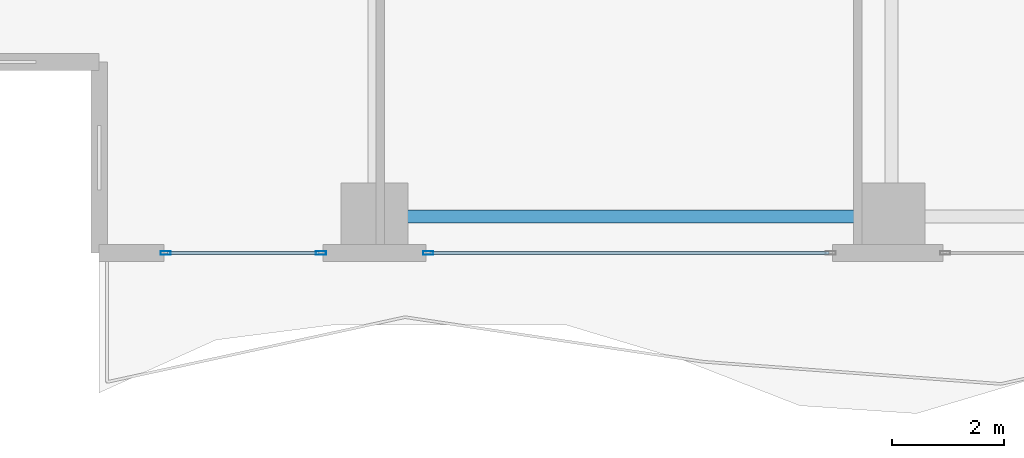
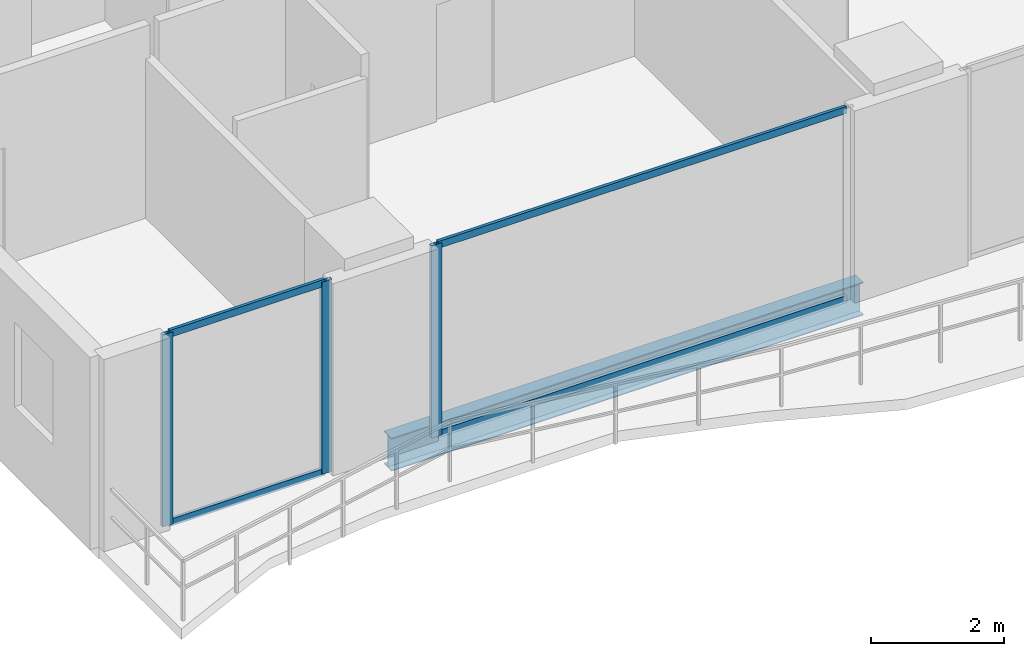
# One storey, part 2 of 32: 7 members, 1 beam, 2 elements without a shape of their own.
"""IFC4 building model written with IfcOpenShell, lengths in metres."""

from ifc_helpers import new_model, si_unit, direction, frame, origin, origin_2d, place, context, subcontext, project, spatial, hollow_rectangle, i_section, extrude, material, layer, layer_set, material_profile, profile_set, type_object, element, aggregate, save


model = new_model("IFC4")

# Units and contexts
model_context = context("Model", 3, precision=1e-05, world=origin(), true_north=direction((0.0, 1.0)))
body_context = subcontext(model_context, "Body", "Model", "MODEL_VIEW")
ifc_project = project(units=[si_unit("LENGTHUNIT", "METRE"), si_unit("AREAUNIT", "SQUARE_METRE"), si_unit("VOLUMEUNIT", "CUBIC_METRE"), si_unit("PLANEANGLEUNIT", "RADIAN"), si_unit("MASSUNIT", "GRAM", prefix="KILO")], contexts=[model_context])

# Site, building, storey
site_placement = place(None, origin())
site = spatial("IfcSite", under=ifc_project, at=site_placement, CompositionType="ELEMENT")
building_placement = place(site_placement, origin())
building = spatial("IfcBuilding", under=site, at=building_placement, Name="Zuhayl Quay Hotel", CompositionType="ELEMENT")
storey_placement = place(building_placement, frame((0.0, 0.0, 177.39990234375)))
storey = spatial("IfcBuildingStorey", under=building, at=storey_placement, Name="L44", CompositionType="ELEMENT", Elevation=177.39990234375)

# Beam
ifc_material_1 = material(Name="Steel ASTM A992 Grade 50", Category="steel")
ifc_material_profile_1 = material_profile(ifc_material_1, i_section(OverallWidth=0.22802734375, OverallDepth=0.60693359375, WebThickness=0.01123046875, FlangeThickness=0.017333984375, at=origin_2d()), Name="W24X76")
ifc_profile_set_1 = profile_set([ifc_material_profile_1], Name="Steel ASTM A992 Grade 50")
beam_type = type_object("IfcBeamType", Name="BM_B3_W24X76", PredefinedType="BEAM", material=ifc_profile_set_1)
beam_placement = place(storey_placement, frame((-13.300048828125, -6.949951171875, -0.5234375), z_axis=(1.0, 0.0, 0.0), x_axis=(0.0, 1.0, 0.0)))
element("IfcBeam", 1, at=beam_placement, inside=storey, type_object=beam_type, Name="L44 Floor Beam RG_L44_01", PredefinedType="BEAM", context=body_context, shape_type="SweptSolid", body=[
    extrude(i_section(OverallWidth=0.22802734375, OverallDepth=0.60693359375, WebThickness=0.01123046875, FlangeThickness=0.017333984375, at=origin_2d()), origin(), (0.0, 0.0, 1.0), 8.199951171875),
])

# Curtain wall, member
ifc_material_2 = material(Name="Anodised Aluminium 6063-T6", Category="aluminium")
ifc_layer = layer(ifc_material_2, 0.175048828125, Name="Anodised Aluminium 6063-T6", Category="aluminium")
ifc_layer_set = layer_set([ifc_layer], Name="Anodised Aluminium 6063-T6")
curtain_wall_type = type_object("IfcCurtainWallType", Name="CW_SYS_Z3", PredefinedType="USERDEFINED", material=ifc_layer_set)
curtain_wall_1_placement = place(storey_placement, origin())
curtain_wall_1 = element("IfcCurtainWall", 2, at=curtain_wall_1_placement, inside=storey, type_object=curtain_wall_type, Name="L44 Curtain Wall ENV_L44_S_CW5", ObjectType="UNITISED CURTAIN WALL", PredefinedType="USERDEFINED")
ifc_material_3 = material(Name="Black-anodised aluminium 6063-T6", Category="aluminium")
ifc_material_profile_2 = material_profile(ifc_material_3, hollow_rectangle(XDim=0.06494140625, YDim=0.179931640625, WallThickness=0.00341796875, at=origin_2d()), Name="ALU180X65")
ifc_profile_set_2 = profile_set([ifc_material_profile_2], Name="Black-anodised aluminium 6063-T6")
member_type_1 = type_object("IfcMemberType", Name="MB_CW_MUL_180", PredefinedType="MULLION", material=ifc_profile_set_2)
member_1_placement = place(storey_placement, frame((-12.847412109375, -7.60009765625, 0.0), z_axis=(0.0, 0.0, 1.0), x_axis=(0.0, -1.0, 0.0)))
member_1 = element("IfcMember", 3, at=member_1_placement, type_object=member_type_1, Name="CW-Z3 mullion 2", PredefinedType="MULLION", context=body_context, shape_type="SweptSolid", body=[
    extrude(hollow_rectangle(XDim=0.06494140625, YDim=0.179931640625, WallThickness=0.00341796875, at=origin_2d()), origin(), (0.0, 0.0, 1.0), 3.530029296875),
])

# Curtain wall, members
curtain_wall_2_placement = place(storey_placement, origin())
curtain_wall_2 = element("IfcCurtainWall", 4, at=curtain_wall_2_placement, inside=storey, type_object=curtain_wall_type, Name="L44 Curtain Wall ENV_L44_S_CW6", ObjectType="UNITISED CURTAIN WALL", PredefinedType="USERDEFINED")
member_2_placement = place(storey_placement, frame((-14.75244140625, -7.60009765625, 0.0), z_axis=(0.0, 0.0, 1.0), x_axis=(0.0, -1.0, 0.0)))
member_2 = element("IfcMember", 5, at=member_2_placement, type_object=member_type_1, Name="CW-Z3 mullion 1", PredefinedType="MULLION", context=body_context, shape_type="SweptSolid", body=[
    extrude(hollow_rectangle(XDim=0.06494140625, YDim=0.179931640625, WallThickness=0.00341796875, at=origin_2d()), origin(), (0.0, 0.0, 1.0), 3.530029296875),
])
member_3_placement = place(storey_placement, frame((-17.517578125, -7.60009765625, 0.0), z_axis=(0.0, 0.0, 1.0), x_axis=(0.0, -1.0, 0.0)))
member_3 = element("IfcMember", 6, at=member_3_placement, type_object=member_type_1, Name="CW-Z3 mullion 2", PredefinedType="MULLION", context=body_context, shape_type="SweptSolid", body=[
    extrude(hollow_rectangle(XDim=0.06494140625, YDim=0.179931640625, WallThickness=0.00341796875, at=origin_2d()), origin(), (0.0, 0.0, 1.0), 3.530029296875),
])

# Member
ifc_material_profile_3 = material_profile(ifc_material_3, hollow_rectangle(XDim=0.054931640625, YDim=0.1298828125, WallThickness=0.0029296875, at=origin_2d()), Name="ALU130X55")
ifc_profile_set_3 = profile_set([ifc_material_profile_3], Name="Black-anodised aluminium 6063-T6")
member_type_2 = type_object("IfcMemberType", Name="MB_CW_TRN_130", PredefinedType="USERDEFINED", material=ifc_profile_set_3)
member_4_placement = place(storey_placement, frame((-5.715087890625, -7.60009765625, 0.027587890625), z_axis=(-1.0, 0.0, 0.0), x_axis=(0.0, -1.0, 0.0)))
member_4 = element("IfcMember", 7, at=member_4_placement, type_object=member_type_2, Name="CW-Z3 transom 1.1", ObjectType="TRANSOM", PredefinedType="USERDEFINED", context=body_context, shape_type="SweptSolid", body=[
    extrude(hollow_rectangle(XDim=0.054931640625, YDim=0.1298828125, WallThickness=0.0029296875, at=origin_2d()), origin(), (0.0, 0.0, 1.0), 7.099853515625),
])

member_5_placement = place(storey_placement, frame((-5.715087890625, -7.60009765625, 3.502685546875), z_axis=(-1.0, 0.0, 0.0), x_axis=(0.0, -1.0, 0.0)))
member_5 = element("IfcMember", 8, at=member_5_placement, type_object=member_type_2, Name="CW-Z3 transom 1.2", ObjectType="TRANSOM", PredefinedType="USERDEFINED", context=body_context, shape_type="SweptSolid", body=[
    extrude(hollow_rectangle(XDim=0.054931640625, YDim=0.1298828125, WallThickness=0.0029296875, at=origin_2d()), origin(), (0.0, 0.0, 1.0), 7.099853515625),
])

aggregate(curtain_wall_1, [member_1, member_4, member_5])

member_6_placement = place(storey_placement, frame((-14.784912109375, -7.60009765625, 0.027587890625), z_axis=(-1.0, 0.0, 0.0), x_axis=(0.0, -1.0, 0.0)))
member_6 = element("IfcMember", 9, at=member_6_placement, type_object=member_type_2, Name="CW-Z3 transom 1.1", ObjectType="TRANSOM", PredefinedType="USERDEFINED", context=body_context, shape_type="SweptSolid", body=[
    extrude(hollow_rectangle(XDim=0.054931640625, YDim=0.1298828125, WallThickness=0.0029296875, at=origin_2d()), origin(), (0.0, 0.0, 1.0), 2.7001953125),
])

member_7_placement = place(storey_placement, frame((-14.784912109375, -7.60009765625, 3.502685546875), z_axis=(-1.0, 0.0, 0.0), x_axis=(0.0, -1.0, 0.0)))
member_7 = element("IfcMember", 10, at=member_7_placement, type_object=member_type_2, Name="CW-Z3 transom 1.2", ObjectType="TRANSOM", PredefinedType="USERDEFINED", context=body_context, shape_type="SweptSolid", body=[
    extrude(hollow_rectangle(XDim=0.054931640625, YDim=0.1298828125, WallThickness=0.0029296875, at=origin_2d()), origin(), (0.0, 0.0, 1.0), 2.7001953125),
])

aggregate(curtain_wall_2, [member_2, member_3, member_6, member_7])

save(model, "model.ifc")
